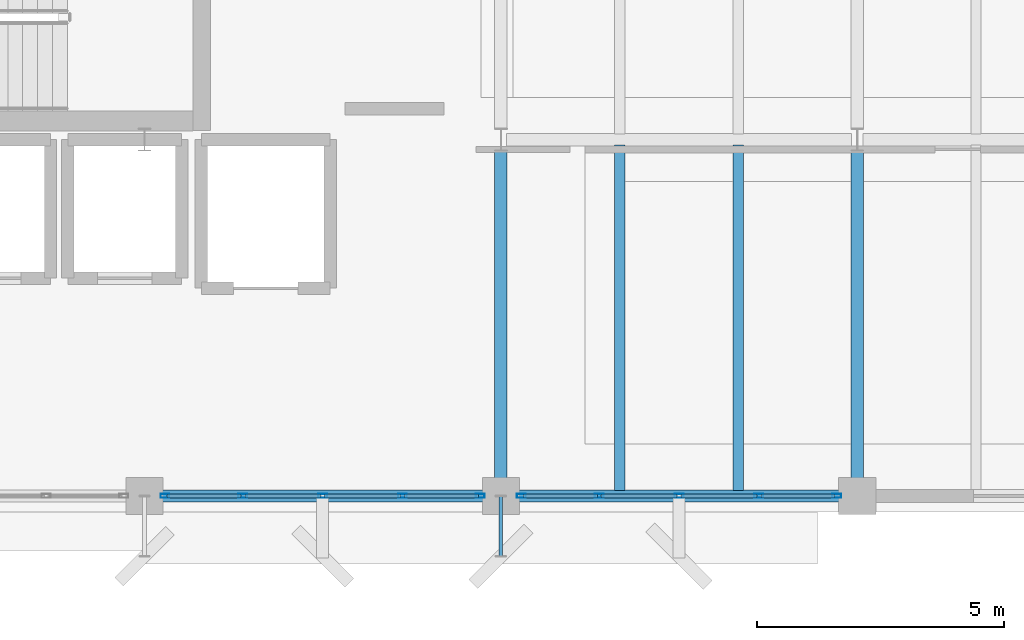
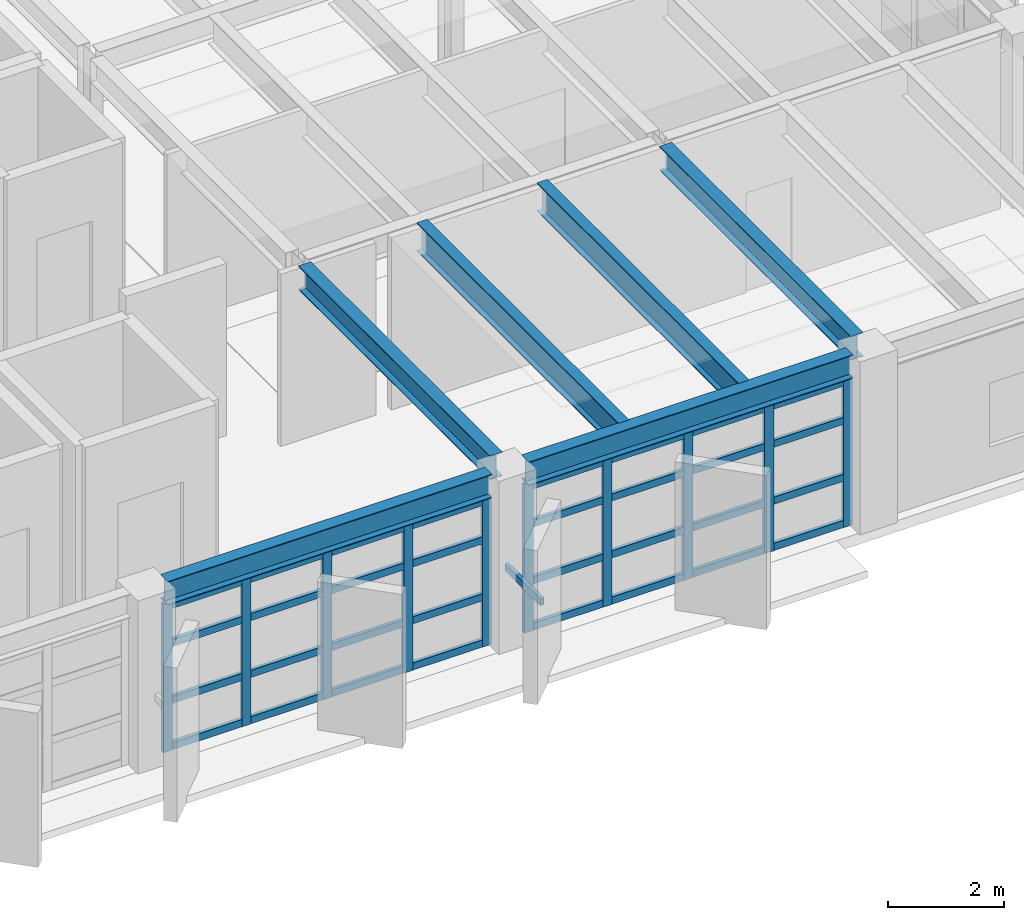
# One storey, part 6 of 24: 43 members, 6 beams, 2 elements without a shape of their own.
"""IFC4 building model written with IfcOpenShell, lengths in metres."""

from ifc_helpers import new_model, si_unit, direction, frame, origin, origin_2d, place, context, subcontext, project, spatial, hollow_rectangle, i_section, extrude, material, layer, layer_set, material_profile, profile_set, type_object, element, aggregate, save


model = new_model("IFC4")

# Units and contexts
model_context = context("Model", 3, precision=1e-05, world=origin(), true_north=direction((0.0, 1.0)))
body_context = subcontext(model_context, "Body", "Model", "MODEL_VIEW")
ifc_project = project(units=[si_unit("LENGTHUNIT", "METRE"), si_unit("AREAUNIT", "SQUARE_METRE"), si_unit("VOLUMEUNIT", "CUBIC_METRE"), si_unit("PLANEANGLEUNIT", "RADIAN"), si_unit("MASSUNIT", "GRAM", prefix="KILO")], contexts=[model_context])

# Site, building, storey
site_placement = place(None, origin())
site = spatial("IfcSite", under=ifc_project, at=site_placement, CompositionType="ELEMENT")
building_placement = place(site_placement, origin())
building = spatial("IfcBuilding", under=site, at=building_placement, Name="Kandorven Conservatory and Botanical Research Centre", CompositionType="ELEMENT")
storey_placement = place(building_placement, frame((0.0, 0.0, 24.89990234375)))
storey = spatial("IfcBuildingStorey", under=building, at=storey_placement, Name="L06", CompositionType="ELEMENT", Elevation=24.89990234375)

# Beams
ifc_material_1 = material(Name="Steel S355 (IS 2062 E350)", Category="steel")
ifc_material_profile_1 = material_profile(ifc_material_1, i_section(OverallWidth=0.25, OverallDepth=0.5, WebThickness=0.010009765625, FlangeThickness=0.0146484375, at=origin_2d()))
ifc_profile_set_1 = profile_set([ifc_material_profile_1], Name="Steel S355 (IS 2062 E350)")
beam_type_1 = type_object("IfcBeamType", Name="Beam_FG-02", PredefinedType="USERDEFINED", material=ifc_profile_set_1)
beam_1_placement = place(storey_placement, frame((20.764892578125, 6.0, 3.400146484375), z_axis=(1.0, 0.0, 0.0), x_axis=(0.0, 1.0, 0.0)))
element("IfcBeam", 1, at=beam_1_placement, inside=storey, type_object=beam_type_1, Name="Primary girder FG-02 TWR L06", ObjectType="GIRDER", PredefinedType="USERDEFINED", context=body_context, shape_type="SweptSolid", body=[
    extrude(i_section(OverallWidth=0.25, OverallDepth=0.5, WebThickness=0.010009765625, FlangeThickness=0.0146484375, at=origin_2d()), origin(), (0.0, 0.0, 1.0), 6.47021484375),
])
beam_2_placement = place(storey_placement, frame((27.965087890625, 6.0, 3.400146484375), z_axis=(1.0, 0.0, 0.0), x_axis=(0.0, 1.0, 0.0)))
element("IfcBeam", 2, at=beam_2_placement, inside=storey, type_object=beam_type_1, Name="Primary girder FG-02 TWR L06", ObjectType="GIRDER", PredefinedType="USERDEFINED", context=body_context, shape_type="SweptSolid", body=[
    extrude(i_section(OverallWidth=0.25, OverallDepth=0.5, WebThickness=0.010009765625, FlangeThickness=0.0146484375, at=origin_2d()), origin(), (0.0, 0.0, 1.0), 6.469970703125),
])
for number, where, z_axis, x_axis, name in (
    (3, (27.60009765625, 6.364990234375, 3.400146484375), (0.0, 1.0, 0.0), (-1.0, 0.0, 0.0), "Primary girder FG-02 TWR L06"),
    (4, (34.800048828125, 6.364990234375, 3.400146484375), (0.0, 1.0, 0.0), (-1.0, 0.0, 0.0), "Primary girder FG-02 TWR L06"),
):
    element("IfcBeam", number, at=place(storey_placement, frame(where, z_axis=z_axis, x_axis=x_axis)), inside=storey, type_object=beam_type_1, Name=name, ObjectType="GIRDER", PredefinedType="USERDEFINED", context=body_context, shape_type="SweptSolid", body=[
        extrude(i_section(OverallWidth=0.25, OverallDepth=0.5, WebThickness=0.010009765625, FlangeThickness=0.0146484375, at=origin_2d()), origin(), (0.0, 0.0, 1.0), 6.6201171875),
    ])
ifc_material_2 = material(Name="Steel S355 (IS 2062 E350)", Category="steel")
ifc_material_profile_2 = material_profile(ifc_material_2, i_section(OverallWidth=0.2099609375, OverallDepth=0.60009765625, WebThickness=0.011962890625, FlangeThickness=0.020751953125, at=origin_2d()))
ifc_profile_set_2 = profile_set([ifc_material_profile_2], Name="Steel S355 (IS 2062 E350)")
beam_type_2 = type_object("IfcBeamType", Name="Beam_SB-01", PredefinedType="BEAM", material=ifc_profile_set_2)
for number, where, z_axis, x_axis, name in (
    (5, (30.0, 6.110107421875, 3.35009765625), (0.0, 1.0, 0.0), (-1.0, 0.0, 0.0), "Composite secondary beam SB-01 TWR L06"),
    (6, (32.39990234375, 6.110107421875, 3.35009765625), (0.0, 1.0, 0.0), (-1.0, 0.0, 0.0), "Composite secondary beam SB-01 TWR L06"),
):
    element("IfcBeam", number, at=place(storey_placement, frame(where, z_axis=z_axis, x_axis=x_axis)), inside=storey, type_object=beam_type_2, Name=name, PredefinedType="BEAM", context=body_context, shape_type="SweptSolid", body=[
        extrude(i_section(OverallWidth=0.2099609375, OverallDepth=0.60009765625, WebThickness=0.011962890625, FlangeThickness=0.020751953125, at=origin_2d()), origin(), (0.0, 0.0, 1.0), 6.97998046875),
    ])

# Curtain wall, members
ifc_material_3 = material(Name="Bronze anodised thermally broken aluminium", Category="aluminium")
ifc_layer = layer(ifc_material_3, 0.179931640625)
ifc_layer_set = layer_set([ifc_layer], Name="Bronze anodised thermally broken aluminium")
curtain_wall_type = type_object("IfcCurtainWallType", Name="CW_Unitised", PredefinedType="USERDEFINED", material=ifc_layer_set)
curtain_wall_1_placement = place(storey_placement, origin())
curtain_wall_1 = element("IfcCurtainWall", 7, at=curtain_wall_1_placement, inside=storey, type_object=curtain_wall_type, Name="Tower laboratory curtain wall CW-TWR-S-L06-3", ObjectType="UNITISED GLAZING", PredefinedType="USERDEFINED")
ifc_material_4 = material(Name="Bronze anodised thermally broken aluminium", Category="aluminium")
ifc_material_profile_3 = material_profile(ifc_material_4, hollow_rectangle(XDim=0.080078125, YDim=0.179931640625, WallThickness=0.006103515625, at=origin_2d()))
ifc_profile_set_3 = profile_set([ifc_material_profile_3], Name="Bronze anodised thermally broken aluminium")
member_type_1 = type_object("IfcMemberType", Name="CW_Mullion", PredefinedType="MULLION", material=ifc_profile_set_3)
member_1_placement = place(storey_placement, frame((20.81494140625, 6.0, 0.0), z_axis=(0.0, 0.0, 1.0), x_axis=(0.0, 1.0, 0.0)))
member_1 = element("IfcMember", 8, at=member_1_placement, type_object=member_type_1, Name="CW-01 mullion 1", PredefinedType="MULLION", context=body_context, shape_type="SweptSolid", body=[
    extrude(hollow_rectangle(XDim=0.080078125, YDim=0.179931640625, WallThickness=0.006103515625, at=origin_2d()), origin(), (0.0, 0.0, 1.0), 3.130126953125),
])
member_2_placement = place(storey_placement, frame((22.387451171875, 6.0, 0.0), z_axis=(0.0, 0.0, 1.0), x_axis=(0.0, 1.0, 0.0)))
member_2 = element("IfcMember", 9, at=member_2_placement, type_object=member_type_1, Name="CW-01 mullion 2", PredefinedType="MULLION", context=body_context, shape_type="SweptSolid", body=[
    extrude(hollow_rectangle(XDim=0.080078125, YDim=0.179931640625, WallThickness=0.006103515625, at=origin_2d()), origin(), (0.0, 0.0, 1.0), 3.130126953125),
])
member_3_placement = place(storey_placement, frame((24.0, 6.0, 0.0), z_axis=(0.0, 0.0, 1.0), x_axis=(0.0, 1.0, 0.0)))
member_3 = element("IfcMember", 10, at=member_3_placement, type_object=member_type_1, Name="CW-01 mullion 3", PredefinedType="MULLION", context=body_context, shape_type="SweptSolid", body=[
    extrude(hollow_rectangle(XDim=0.080078125, YDim=0.179931640625, WallThickness=0.006103515625, at=origin_2d()), origin(), (0.0, 0.0, 1.0), 3.130126953125),
])
member_4_placement = place(storey_placement, frame((25.612548828125, 6.0, 0.0), z_axis=(0.0, 0.0, 1.0), x_axis=(0.0, 1.0, 0.0)))
member_4 = element("IfcMember", 11, at=member_4_placement, type_object=member_type_1, Name="CW-01 mullion 4", PredefinedType="MULLION", context=body_context, shape_type="SweptSolid", body=[
    extrude(hollow_rectangle(XDim=0.080078125, YDim=0.179931640625, WallThickness=0.006103515625, at=origin_2d()), origin(), (0.0, 0.0, 1.0), 3.130126953125),
])
member_5_placement = place(storey_placement, frame((27.18505859375, 6.0, 0.0), z_axis=(0.0, 0.0, 1.0), x_axis=(0.0, 1.0, 0.0)))
member_5 = element("IfcMember", 12, at=member_5_placement, type_object=member_type_1, Name="CW-01 mullion 5", PredefinedType="MULLION", context=body_context, shape_type="SweptSolid", body=[
    extrude(hollow_rectangle(XDim=0.080078125, YDim=0.179931640625, WallThickness=0.006103515625, at=origin_2d()), origin(), (0.0, 0.0, 1.0), 3.130126953125),
])

curtain_wall_2_placement = place(storey_placement, origin())
curtain_wall_2 = element("IfcCurtainWall", 13, at=curtain_wall_2_placement, inside=storey, type_object=curtain_wall_type, Name="Tower laboratory curtain wall CW-TWR-S-L06-4", ObjectType="UNITISED GLAZING", PredefinedType="USERDEFINED")
member_6_placement = place(storey_placement, frame((28.014892578125, 6.0, 0.0), z_axis=(0.0, 0.0, 1.0), x_axis=(0.0, 1.0, 0.0)))
member_6 = element("IfcMember", 14, at=member_6_placement, type_object=member_type_1, Name="CW-01 mullion 1", PredefinedType="MULLION", context=body_context, shape_type="SweptSolid", body=[
    extrude(hollow_rectangle(XDim=0.080078125, YDim=0.179931640625, WallThickness=0.006103515625, at=origin_2d()), origin(), (0.0, 0.0, 1.0), 3.130126953125),
])
member_7_placement = place(storey_placement, frame((29.58740234375, 6.0, 0.0), z_axis=(0.0, 0.0, 1.0), x_axis=(0.0, 1.0, 0.0)))
member_7 = element("IfcMember", 15, at=member_7_placement, type_object=member_type_1, Name="CW-01 mullion 2", PredefinedType="MULLION", context=body_context, shape_type="SweptSolid", body=[
    extrude(hollow_rectangle(XDim=0.080078125, YDim=0.179931640625, WallThickness=0.006103515625, at=origin_2d()), origin(), (0.0, 0.0, 1.0), 3.130126953125),
])
member_8_placement = place(storey_placement, frame((31.199951171875, 6.0, 0.0), z_axis=(0.0, 0.0, 1.0), x_axis=(0.0, 1.0, 0.0)))
member_8 = element("IfcMember", 16, at=member_8_placement, type_object=member_type_1, Name="CW-01 mullion 3", PredefinedType="MULLION", context=body_context, shape_type="SweptSolid", body=[
    extrude(hollow_rectangle(XDim=0.080078125, YDim=0.179931640625, WallThickness=0.006103515625, at=origin_2d()), origin(), (0.0, 0.0, 1.0), 3.130126953125),
])
member_9_placement = place(storey_placement, frame((32.8125, 6.0, 0.0), z_axis=(0.0, 0.0, 1.0), x_axis=(0.0, 1.0, 0.0)))
member_9 = element("IfcMember", 17, at=member_9_placement, type_object=member_type_1, Name="CW-01 mullion 4", PredefinedType="MULLION", context=body_context, shape_type="SweptSolid", body=[
    extrude(hollow_rectangle(XDim=0.080078125, YDim=0.179931640625, WallThickness=0.006103515625, at=origin_2d()), origin(), (0.0, 0.0, 1.0), 3.130126953125),
])
member_10_placement = place(storey_placement, frame((34.385009765625, 6.0, 0.0), z_axis=(0.0, 0.0, 1.0), x_axis=(0.0, 1.0, 0.0)))
member_10 = element("IfcMember", 18, at=member_10_placement, type_object=member_type_1, Name="CW-01 mullion 5", PredefinedType="MULLION", context=body_context, shape_type="SweptSolid", body=[
    extrude(hollow_rectangle(XDim=0.080078125, YDim=0.179931640625, WallThickness=0.006103515625, at=origin_2d()), origin(), (0.0, 0.0, 1.0), 3.130126953125),
])

# Member
ifc_material_5 = material(Name="Bronze anodised thermally broken aluminium", Category="aluminium")
ifc_material_profile_4 = material_profile(ifc_material_5, hollow_rectangle(XDim=0.074951171875, YDim=0.14990234375, WallThickness=0.006103515625, at=origin_2d()))
ifc_profile_set_4 = profile_set([ifc_material_profile_4], Name="Bronze anodised thermally broken aluminium")
member_type_2 = type_object("IfcMemberType", Name="CW_Transom", PredefinedType="USERDEFINED", material=ifc_profile_set_4)
member_11_placement = place(storey_placement, frame((20.85498046875, 6.0, 0.0751953125), z_axis=(1.0, 0.0, 0.0), x_axis=(0.0, 1.0, 0.0)))
member_11 = element("IfcMember", 19, at=member_11_placement, type_object=member_type_2, Name="CW-01 transom 1.1", ObjectType="TRANSOM", PredefinedType="USERDEFINED", context=body_context, shape_type="SweptSolid", body=[
    extrude(hollow_rectangle(XDim=0.074951171875, YDim=0.14990234375, WallThickness=0.006103515625, at=origin_2d()), origin(), (0.0, 0.0, 1.0), 1.492431640625),
])

member_12_placement = place(storey_placement, frame((20.85498046875, 6.0, 1.050048828125), z_axis=(1.0, 0.0, 0.0), x_axis=(0.0, 1.0, 0.0)))
member_12 = element("IfcMember", 20, at=member_12_placement, type_object=member_type_2, Name="CW-01 transom 1.2", ObjectType="TRANSOM", PredefinedType="USERDEFINED", context=body_context, shape_type="SweptSolid", body=[
    extrude(hollow_rectangle(XDim=0.074951171875, YDim=0.14990234375, WallThickness=0.006103515625, at=origin_2d()), origin(), (0.0, 0.0, 1.0), 1.492431640625),
])

member_13_placement = place(storey_placement, frame((20.85498046875, 6.0, 2.25), z_axis=(1.0, 0.0, 0.0), x_axis=(0.0, 1.0, 0.0)))
member_13 = element("IfcMember", 21, at=member_13_placement, type_object=member_type_2, Name="CW-01 transom 1.3", ObjectType="TRANSOM", PredefinedType="USERDEFINED", context=body_context, shape_type="SweptSolid", body=[
    extrude(hollow_rectangle(XDim=0.074951171875, YDim=0.14990234375, WallThickness=0.006103515625, at=origin_2d()), origin(), (0.0, 0.0, 1.0), 1.492431640625),
])

member_14_placement = place(storey_placement, frame((20.85498046875, 6.0, 3.05517578125), z_axis=(1.0, 0.0, 0.0), x_axis=(0.0, 1.0, 0.0)))
member_14 = element("IfcMember", 22, at=member_14_placement, type_object=member_type_2, Name="CW-01 transom 1.4", ObjectType="TRANSOM", PredefinedType="USERDEFINED", context=body_context, shape_type="SweptSolid", body=[
    extrude(hollow_rectangle(XDim=0.074951171875, YDim=0.14990234375, WallThickness=0.006103515625, at=origin_2d()), origin(), (0.0, 0.0, 1.0), 1.492431640625),
])

member_15_placement = place(storey_placement, frame((22.427490234375, 6.0, 0.0751953125), z_axis=(1.0, 0.0, 0.0), x_axis=(0.0, 1.0, 0.0)))
member_15 = element("IfcMember", 23, at=member_15_placement, type_object=member_type_2, Name="CW-01 transom 2.1", ObjectType="TRANSOM", PredefinedType="USERDEFINED", context=body_context, shape_type="SweptSolid", body=[
    extrude(hollow_rectangle(XDim=0.074951171875, YDim=0.14990234375, WallThickness=0.006103515625, at=origin_2d()), origin(), (0.0, 0.0, 1.0), 1.532470703125),
])

member_16_placement = place(storey_placement, frame((22.427490234375, 6.0, 1.050048828125), z_axis=(1.0, 0.0, 0.0), x_axis=(0.0, 1.0, 0.0)))
member_16 = element("IfcMember", 24, at=member_16_placement, type_object=member_type_2, Name="CW-01 transom 2.2", ObjectType="TRANSOM", PredefinedType="USERDEFINED", context=body_context, shape_type="SweptSolid", body=[
    extrude(hollow_rectangle(XDim=0.074951171875, YDim=0.14990234375, WallThickness=0.006103515625, at=origin_2d()), origin(), (0.0, 0.0, 1.0), 1.532470703125),
])

member_17_placement = place(storey_placement, frame((22.427490234375, 6.0, 2.25), z_axis=(1.0, 0.0, 0.0), x_axis=(0.0, 1.0, 0.0)))
member_17 = element("IfcMember", 25, at=member_17_placement, type_object=member_type_2, Name="CW-01 transom 2.3", ObjectType="TRANSOM", PredefinedType="USERDEFINED", context=body_context, shape_type="SweptSolid", body=[
    extrude(hollow_rectangle(XDim=0.074951171875, YDim=0.14990234375, WallThickness=0.006103515625, at=origin_2d()), origin(), (0.0, 0.0, 1.0), 1.532470703125),
])

member_18_placement = place(storey_placement, frame((22.427490234375, 6.0, 3.05517578125), z_axis=(1.0, 0.0, 0.0), x_axis=(0.0, 1.0, 0.0)))
member_18 = element("IfcMember", 26, at=member_18_placement, type_object=member_type_2, Name="CW-01 transom 2.4", ObjectType="TRANSOM", PredefinedType="USERDEFINED", context=body_context, shape_type="SweptSolid", body=[
    extrude(hollow_rectangle(XDim=0.074951171875, YDim=0.14990234375, WallThickness=0.006103515625, at=origin_2d()), origin(), (0.0, 0.0, 1.0), 1.532470703125),
])

member_19_placement = place(storey_placement, frame((24.0400390625, 6.0, 0.0751953125), z_axis=(1.0, 0.0, 0.0), x_axis=(0.0, 1.0, 0.0)))
member_19 = element("IfcMember", 27, at=member_19_placement, type_object=member_type_2, Name="CW-01 transom 3.1", ObjectType="TRANSOM", PredefinedType="USERDEFINED", context=body_context, shape_type="SweptSolid", body=[
    extrude(hollow_rectangle(XDim=0.074951171875, YDim=0.14990234375, WallThickness=0.006103515625, at=origin_2d()), origin(), (0.0, 0.0, 1.0), 1.532470703125),
])

member_20_placement = place(storey_placement, frame((24.0400390625, 6.0, 1.050048828125), z_axis=(1.0, 0.0, 0.0), x_axis=(0.0, 1.0, 0.0)))
member_20 = element("IfcMember", 28, at=member_20_placement, type_object=member_type_2, Name="CW-01 transom 3.2", ObjectType="TRANSOM", PredefinedType="USERDEFINED", context=body_context, shape_type="SweptSolid", body=[
    extrude(hollow_rectangle(XDim=0.074951171875, YDim=0.14990234375, WallThickness=0.006103515625, at=origin_2d()), origin(), (0.0, 0.0, 1.0), 1.532470703125),
])

member_21_placement = place(storey_placement, frame((24.0400390625, 6.0, 2.25), z_axis=(1.0, 0.0, 0.0), x_axis=(0.0, 1.0, 0.0)))
member_21 = element("IfcMember", 29, at=member_21_placement, type_object=member_type_2, Name="CW-01 transom 3.3", ObjectType="TRANSOM", PredefinedType="USERDEFINED", context=body_context, shape_type="SweptSolid", body=[
    extrude(hollow_rectangle(XDim=0.074951171875, YDim=0.14990234375, WallThickness=0.006103515625, at=origin_2d()), origin(), (0.0, 0.0, 1.0), 1.532470703125),
])

member_22_placement = place(storey_placement, frame((24.0400390625, 6.0, 3.05517578125), z_axis=(1.0, 0.0, 0.0), x_axis=(0.0, 1.0, 0.0)))
member_22 = element("IfcMember", 30, at=member_22_placement, type_object=member_type_2, Name="CW-01 transom 3.4", ObjectType="TRANSOM", PredefinedType="USERDEFINED", context=body_context, shape_type="SweptSolid", body=[
    extrude(hollow_rectangle(XDim=0.074951171875, YDim=0.14990234375, WallThickness=0.006103515625, at=origin_2d()), origin(), (0.0, 0.0, 1.0), 1.532470703125),
])

member_23_placement = place(storey_placement, frame((25.652587890625, 6.0, 0.0751953125), z_axis=(1.0, 0.0, 0.0), x_axis=(0.0, 1.0, 0.0)))
member_23 = element("IfcMember", 31, at=member_23_placement, type_object=member_type_2, Name="CW-01 transom 4.1", ObjectType="TRANSOM", PredefinedType="USERDEFINED", context=body_context, shape_type="SweptSolid", body=[
    extrude(hollow_rectangle(XDim=0.074951171875, YDim=0.14990234375, WallThickness=0.006103515625, at=origin_2d()), origin(), (0.0, 0.0, 1.0), 1.492431640625),
])

member_24_placement = place(storey_placement, frame((25.652587890625, 6.0, 1.050048828125), z_axis=(1.0, 0.0, 0.0), x_axis=(0.0, 1.0, 0.0)))
member_24 = element("IfcMember", 32, at=member_24_placement, type_object=member_type_2, Name="CW-01 transom 4.2", ObjectType="TRANSOM", PredefinedType="USERDEFINED", context=body_context, shape_type="SweptSolid", body=[
    extrude(hollow_rectangle(XDim=0.074951171875, YDim=0.14990234375, WallThickness=0.006103515625, at=origin_2d()), origin(), (0.0, 0.0, 1.0), 1.492431640625),
])

member_25_placement = place(storey_placement, frame((25.652587890625, 6.0, 2.25), z_axis=(1.0, 0.0, 0.0), x_axis=(0.0, 1.0, 0.0)))
member_25 = element("IfcMember", 33, at=member_25_placement, type_object=member_type_2, Name="CW-01 transom 4.3", ObjectType="TRANSOM", PredefinedType="USERDEFINED", context=body_context, shape_type="SweptSolid", body=[
    extrude(hollow_rectangle(XDim=0.074951171875, YDim=0.14990234375, WallThickness=0.006103515625, at=origin_2d()), origin(), (0.0, 0.0, 1.0), 1.492431640625),
])

member_26_placement = place(storey_placement, frame((25.652587890625, 6.0, 3.05517578125), z_axis=(1.0, 0.0, 0.0), x_axis=(0.0, 1.0, 0.0)))
member_26 = element("IfcMember", 34, at=member_26_placement, type_object=member_type_2, Name="CW-01 transom 4.4", ObjectType="TRANSOM", PredefinedType="USERDEFINED", context=body_context, shape_type="SweptSolid", body=[
    extrude(hollow_rectangle(XDim=0.074951171875, YDim=0.14990234375, WallThickness=0.006103515625, at=origin_2d()), origin(), (0.0, 0.0, 1.0), 1.492431640625),
])

aggregate(curtain_wall_1, [member_1, member_2, member_3, member_4, member_5, member_11, member_12, member_13, member_14, member_15, member_16, member_17, member_18, member_19, member_20, member_21, member_22, member_23, member_24, member_25, member_26])

member_27_placement = place(storey_placement, frame((28.054931640625, 6.0, 0.0751953125), z_axis=(1.0, 0.0, 0.0), x_axis=(0.0, 1.0, 0.0)))
member_27 = element("IfcMember", 35, at=member_27_placement, type_object=member_type_2, Name="CW-01 transom 1.1", ObjectType="TRANSOM", PredefinedType="USERDEFINED", context=body_context, shape_type="SweptSolid", body=[
    extrude(hollow_rectangle(XDim=0.074951171875, YDim=0.14990234375, WallThickness=0.006103515625, at=origin_2d()), origin(), (0.0, 0.0, 1.0), 1.49267578125),
])

member_28_placement = place(storey_placement, frame((28.054931640625, 6.0, 1.050048828125), z_axis=(1.0, 0.0, 0.0), x_axis=(0.0, 1.0, 0.0)))
member_28 = element("IfcMember", 36, at=member_28_placement, type_object=member_type_2, Name="CW-01 transom 1.2", ObjectType="TRANSOM", PredefinedType="USERDEFINED", context=body_context, shape_type="SweptSolid", body=[
    extrude(hollow_rectangle(XDim=0.074951171875, YDim=0.14990234375, WallThickness=0.006103515625, at=origin_2d()), origin(), (0.0, 0.0, 1.0), 1.49267578125),
])

member_29_placement = place(storey_placement, frame((28.054931640625, 6.0, 2.25), z_axis=(1.0, 0.0, 0.0), x_axis=(0.0, 1.0, 0.0)))
member_29 = element("IfcMember", 37, at=member_29_placement, type_object=member_type_2, Name="CW-01 transom 1.3", ObjectType="TRANSOM", PredefinedType="USERDEFINED", context=body_context, shape_type="SweptSolid", body=[
    extrude(hollow_rectangle(XDim=0.074951171875, YDim=0.14990234375, WallThickness=0.006103515625, at=origin_2d()), origin(), (0.0, 0.0, 1.0), 1.49267578125),
])

member_30_placement = place(storey_placement, frame((28.054931640625, 6.0, 3.05517578125), z_axis=(1.0, 0.0, 0.0), x_axis=(0.0, 1.0, 0.0)))
member_30 = element("IfcMember", 38, at=member_30_placement, type_object=member_type_2, Name="CW-01 transom 1.4", ObjectType="TRANSOM", PredefinedType="USERDEFINED", context=body_context, shape_type="SweptSolid", body=[
    extrude(hollow_rectangle(XDim=0.074951171875, YDim=0.14990234375, WallThickness=0.006103515625, at=origin_2d()), origin(), (0.0, 0.0, 1.0), 1.49267578125),
])

member_31_placement = place(storey_placement, frame((29.62744140625, 6.0, 0.0751953125), z_axis=(1.0, 0.0, 0.0), x_axis=(0.0, 1.0, 0.0)))
member_31 = element("IfcMember", 39, at=member_31_placement, type_object=member_type_2, Name="CW-01 transom 2.1", ObjectType="TRANSOM", PredefinedType="USERDEFINED", context=body_context, shape_type="SweptSolid", body=[
    extrude(hollow_rectangle(XDim=0.074951171875, YDim=0.14990234375, WallThickness=0.006103515625, at=origin_2d()), origin(), (0.0, 0.0, 1.0), 1.532470703125),
])

member_32_placement = place(storey_placement, frame((29.62744140625, 6.0, 1.050048828125), z_axis=(1.0, 0.0, 0.0), x_axis=(0.0, 1.0, 0.0)))
member_32 = element("IfcMember", 40, at=member_32_placement, type_object=member_type_2, Name="CW-01 transom 2.2", ObjectType="TRANSOM", PredefinedType="USERDEFINED", context=body_context, shape_type="SweptSolid", body=[
    extrude(hollow_rectangle(XDim=0.074951171875, YDim=0.14990234375, WallThickness=0.006103515625, at=origin_2d()), origin(), (0.0, 0.0, 1.0), 1.532470703125),
])

member_33_placement = place(storey_placement, frame((29.62744140625, 6.0, 2.25), z_axis=(1.0, 0.0, 0.0), x_axis=(0.0, 1.0, 0.0)))
member_33 = element("IfcMember", 41, at=member_33_placement, type_object=member_type_2, Name="CW-01 transom 2.3", ObjectType="TRANSOM", PredefinedType="USERDEFINED", context=body_context, shape_type="SweptSolid", body=[
    extrude(hollow_rectangle(XDim=0.074951171875, YDim=0.14990234375, WallThickness=0.006103515625, at=origin_2d()), origin(), (0.0, 0.0, 1.0), 1.532470703125),
])

member_34_placement = place(storey_placement, frame((29.62744140625, 6.0, 3.05517578125), z_axis=(1.0, 0.0, 0.0), x_axis=(0.0, 1.0, 0.0)))
member_34 = element("IfcMember", 42, at=member_34_placement, type_object=member_type_2, Name="CW-01 transom 2.4", ObjectType="TRANSOM", PredefinedType="USERDEFINED", context=body_context, shape_type="SweptSolid", body=[
    extrude(hollow_rectangle(XDim=0.074951171875, YDim=0.14990234375, WallThickness=0.006103515625, at=origin_2d()), origin(), (0.0, 0.0, 1.0), 1.532470703125),
])

member_35_placement = place(storey_placement, frame((31.239990234375, 6.0, 0.0751953125), z_axis=(1.0, 0.0, 0.0), x_axis=(0.0, 1.0, 0.0)))
member_35 = element("IfcMember", 43, at=member_35_placement, type_object=member_type_2, Name="CW-01 transom 3.1", ObjectType="TRANSOM", PredefinedType="USERDEFINED", context=body_context, shape_type="SweptSolid", body=[
    extrude(hollow_rectangle(XDim=0.074951171875, YDim=0.14990234375, WallThickness=0.006103515625, at=origin_2d()), origin(), (0.0, 0.0, 1.0), 1.532470703125),
])

member_36_placement = place(storey_placement, frame((31.239990234375, 6.0, 1.050048828125), z_axis=(1.0, 0.0, 0.0), x_axis=(0.0, 1.0, 0.0)))
member_36 = element("IfcMember", 44, at=member_36_placement, type_object=member_type_2, Name="CW-01 transom 3.2", ObjectType="TRANSOM", PredefinedType="USERDEFINED", context=body_context, shape_type="SweptSolid", body=[
    extrude(hollow_rectangle(XDim=0.074951171875, YDim=0.14990234375, WallThickness=0.006103515625, at=origin_2d()), origin(), (0.0, 0.0, 1.0), 1.532470703125),
])

member_37_placement = place(storey_placement, frame((31.239990234375, 6.0, 2.25), z_axis=(1.0, 0.0, 0.0), x_axis=(0.0, 1.0, 0.0)))
member_37 = element("IfcMember", 45, at=member_37_placement, type_object=member_type_2, Name="CW-01 transom 3.3", ObjectType="TRANSOM", PredefinedType="USERDEFINED", context=body_context, shape_type="SweptSolid", body=[
    extrude(hollow_rectangle(XDim=0.074951171875, YDim=0.14990234375, WallThickness=0.006103515625, at=origin_2d()), origin(), (0.0, 0.0, 1.0), 1.532470703125),
])

member_38_placement = place(storey_placement, frame((31.239990234375, 6.0, 3.05517578125), z_axis=(1.0, 0.0, 0.0), x_axis=(0.0, 1.0, 0.0)))
member_38 = element("IfcMember", 46, at=member_38_placement, type_object=member_type_2, Name="CW-01 transom 3.4", ObjectType="TRANSOM", PredefinedType="USERDEFINED", context=body_context, shape_type="SweptSolid", body=[
    extrude(hollow_rectangle(XDim=0.074951171875, YDim=0.14990234375, WallThickness=0.006103515625, at=origin_2d()), origin(), (0.0, 0.0, 1.0), 1.532470703125),
])

member_39_placement = place(storey_placement, frame((32.8525390625, 6.0, 0.0751953125), z_axis=(1.0, 0.0, 0.0), x_axis=(0.0, 1.0, 0.0)))
member_39 = element("IfcMember", 47, at=member_39_placement, type_object=member_type_2, Name="CW-01 transom 4.1", ObjectType="TRANSOM", PredefinedType="USERDEFINED", context=body_context, shape_type="SweptSolid", body=[
    extrude(hollow_rectangle(XDim=0.074951171875, YDim=0.14990234375, WallThickness=0.006103515625, at=origin_2d()), origin(), (0.0, 0.0, 1.0), 1.492431640625),
])

member_40_placement = place(storey_placement, frame((32.8525390625, 6.0, 1.050048828125), z_axis=(1.0, 0.0, 0.0), x_axis=(0.0, 1.0, 0.0)))
member_40 = element("IfcMember", 48, at=member_40_placement, type_object=member_type_2, Name="CW-01 transom 4.2", ObjectType="TRANSOM", PredefinedType="USERDEFINED", context=body_context, shape_type="SweptSolid", body=[
    extrude(hollow_rectangle(XDim=0.074951171875, YDim=0.14990234375, WallThickness=0.006103515625, at=origin_2d()), origin(), (0.0, 0.0, 1.0), 1.492431640625),
])

member_41_placement = place(storey_placement, frame((32.8525390625, 6.0, 2.25), z_axis=(1.0, 0.0, 0.0), x_axis=(0.0, 1.0, 0.0)))
member_41 = element("IfcMember", 49, at=member_41_placement, type_object=member_type_2, Name="CW-01 transom 4.3", ObjectType="TRANSOM", PredefinedType="USERDEFINED", context=body_context, shape_type="SweptSolid", body=[
    extrude(hollow_rectangle(XDim=0.074951171875, YDim=0.14990234375, WallThickness=0.006103515625, at=origin_2d()), origin(), (0.0, 0.0, 1.0), 1.492431640625),
])

member_42_placement = place(storey_placement, frame((32.8525390625, 6.0, 3.05517578125), z_axis=(1.0, 0.0, 0.0), x_axis=(0.0, 1.0, 0.0)))
member_42 = element("IfcMember", 50, at=member_42_placement, type_object=member_type_2, Name="CW-01 transom 4.4", ObjectType="TRANSOM", PredefinedType="USERDEFINED", context=body_context, shape_type="SweptSolid", body=[
    extrude(hollow_rectangle(XDim=0.074951171875, YDim=0.14990234375, WallThickness=0.006103515625, at=origin_2d()), origin(), (0.0, 0.0, 1.0), 1.492431640625),
])

aggregate(curtain_wall_2, [member_6, member_7, member_8, member_9, member_10, member_27, member_28, member_29, member_30, member_31, member_32, member_33, member_34, member_35, member_36, member_37, member_38, member_39, member_40, member_41, member_42])

ifc_material_6 = material(Name="Steel S355 (IS 2062 E350)", Category="steel")
ifc_material_profile_5 = material_profile(ifc_material_6, hollow_rectangle(XDim=0.074951171875, YDim=0.14990234375, WallThickness=0.006103515625, at=origin_2d()))
ifc_profile_set_5 = profile_set([ifc_material_profile_5], Name="Steel S355 (IS 2062 E350)")
member_type_3 = type_object("IfcMemberType", Name="Mem_SF-01", PredefinedType="STRUT", material=ifc_profile_set_5)
member_43_placement = place(storey_placement, frame((27.60009765625, 6.0, 1.5), z_axis=(0.0, -1.0, 0.0), x_axis=(1.0, 0.0, 0.0)))
element("IfcMember", 51, at=member_43_placement, inside=storey, type_object=member_type_3, Name="Solar fin steel outrigger strut SF-01 #63", PredefinedType="STRUT", context=body_context, shape_type="SweptSolid", body=[
    extrude(hollow_rectangle(XDim=0.074951171875, YDim=0.14990234375, WallThickness=0.006103515625, at=origin_2d()), origin(), (0.0, 0.0, 1.0), 1.219970703125),
])

save(model, "model.ifc")
